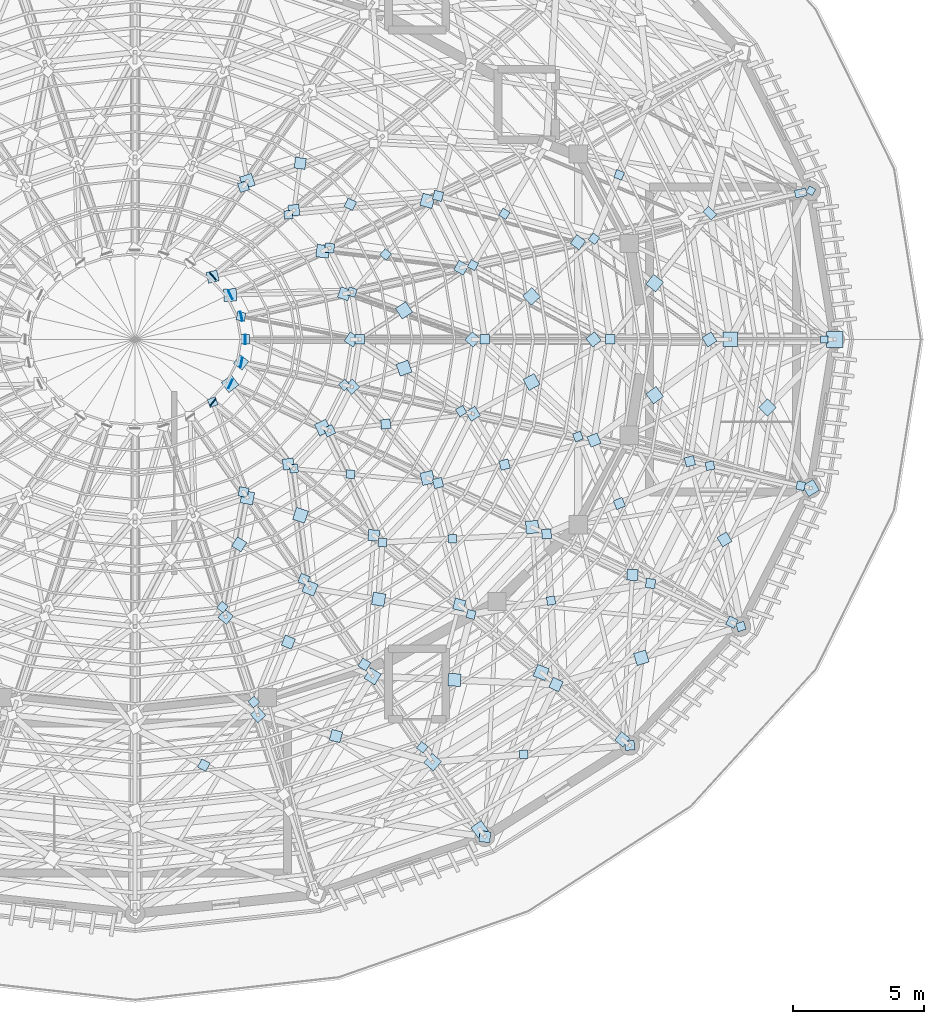
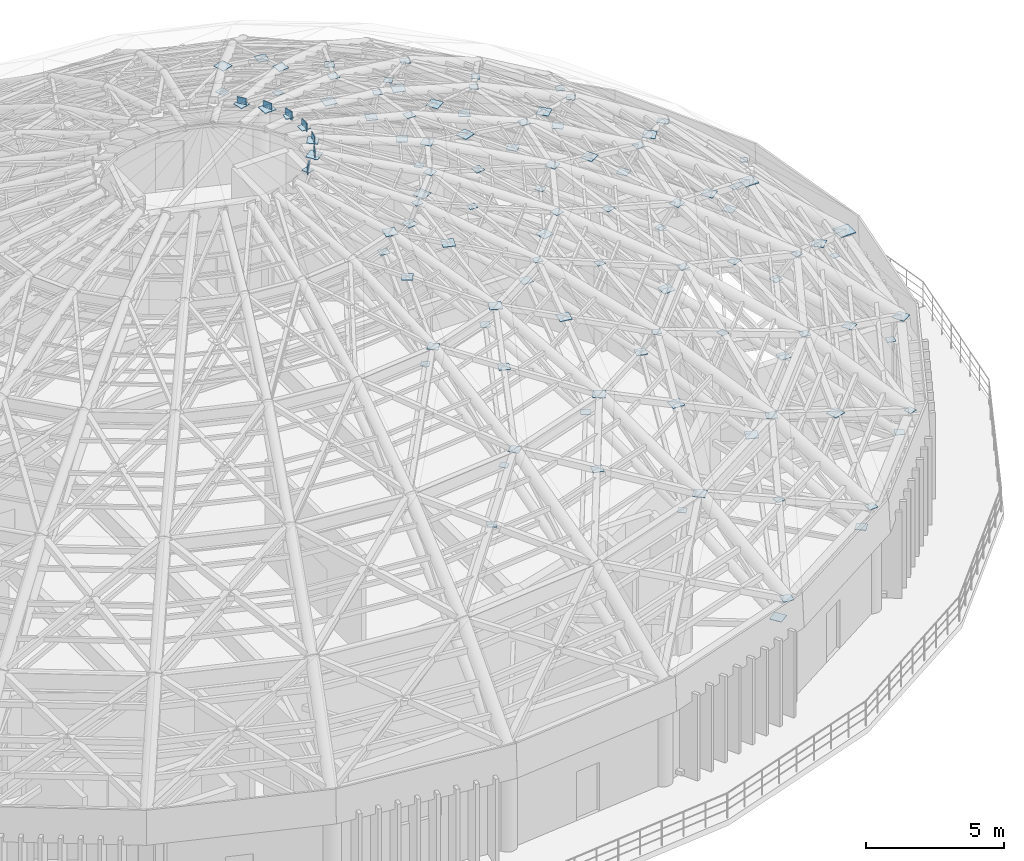
# One storey, part 37 of 50: 113 plates.
"""IFC4 building model written with IfcOpenShell, lengths in metres."""

from ifc_helpers import new_model, si_unit, direction, frame, origin, origin_2d, place, context, subcontext, project, spatial, rectangle, extrude, material, layer, layer_set, type_object, element, save


model = new_model("IFC4")

# Units and contexts
model_context = context("Model", 3, precision=1e-05, world=origin(), true_north=direction((0.0, 1.0)))
body_context = subcontext(model_context, "Body", "Model", "MODEL_VIEW")
ifc_project = project(units=[si_unit("LENGTHUNIT", "METRE"), si_unit("AREAUNIT", "SQUARE_METRE"), si_unit("VOLUMEUNIT", "CUBIC_METRE"), si_unit("PLANEANGLEUNIT", "RADIAN"), si_unit("MASSUNIT", "GRAM", prefix="KILO")], contexts=[model_context])

# Site, building, storey
site_placement = place(None, origin())
site = spatial("IfcSite", under=ifc_project, at=site_placement, CompositionType="ELEMENT")
building_placement = place(site_placement, origin())
building = spatial("IfcBuilding", under=site, at=building_placement, Name="Cinderbank Siding Concert Hall", CompositionType="ELEMENT")
storey_placement = place(building_placement, frame((0.0, 0.0, 23.699951171875)))
storey = spatial("IfcBuildingStorey", under=building, at=storey_placement, Name="L06", CompositionType="ELEMENT", Elevation=23.699951171875)

# Plates
ifc_material = material(Name="Structural steel welded plate section AS/NZS 3679.2 / AS/NZS 3678 Grade 350 (340 MPa)", Category="steel")
ifc_layer_1 = layer(ifc_material, 0.02490234375)
ifc_layer_set_1 = layer_set([ifc_layer_1], Name="Structural steel welded plate section AS/NZS 3679.2 / AS/NZS 3678 Grade 350 (340 MPa)")
plate_type_1 = type_object("IfcPlateType", Name="GP-01 Steel Gusset Cap Plate 480x480x25", PredefinedType="SHEET", material=ifc_layer_set_1)
for number, where, z_axis, x_axis, name in (
    (1, (133.39990234375, 27.805419921875, 8.087646484375), (0.0, 0.0, 1.0), (0.66183538044, 0.749649204093, 0.0), "L06 Steel Node Gusset Plate GP-01 #732"),
    (2, (135.198974609375, 25.233154296875, 3.53759765625), (0.0, 0.0, 1.0), (-0.573147450739, 0.819452255907, 0.0), "L06 Steel Node Gusset Plate GP-01 #736"),
    (3, (137.557861328125, 31.239990234375, 7.1376953125), (0.0, 0.0, 1.0), (0.365526694947, 0.930800856941, 0.0), "L06 Steel Node Gusset Plate GP-01 #740"),
    (4, (141.392578125, 31.802978515625, 6.42626953125), (0.0, 0.0, 1.0), (-0.954188121518, -0.299207334056, 0.0), "L06 Steel Node Gusset Plate GP-01 #744"),
    (5, (147.88671875, 38.305908203125, 4.487548828125), (0.0, 0.0, 1.0), (-0.859227884191, -0.511593044351, 0.0), "L06 Steel Node Gusset Plate GP-01 #748"),
    (6, (146.227294921875, 41.393310546875, 6.426513671875), (0.0, 0.0, 1.0), (-0.70240155419, -0.711780904964, 0.0), "L06 Steel Node Gusset Plate GP-01 #752"),
    (7, (141.903564453125, 46.156494140625, 9.86181640625), (0.0, 0.0, 1.0), (-0.61991599167, -0.784668186733, 0.0), "L06 Steel Node Gusset Plate GP-01 #756"),
    (8, (131.10009765625, 31.09619140625, 11.28759765625), (0.0, 0.0, 1.0), (0.526955795497, 0.849892692987, 0.0), "L06 Steel Node Gusset Plate GP-01 #812"),
    (9, (134.230712890625, 30.953857421875, 9.86083984375), (0.0, 0.0, 1.0), (-0.998970569791, 0.045362988129, 0.0), "L06 Steel Node Gusset Plate GP-01 #816"),
    (10, (137.2099609375, 36.810791015625, 10.337646484375), (0.0, 0.0, 1.0), (-0.062267945373, 0.998059468659, 0.0), "L06 Steel Node Gusset Plate GP-01 #820"),
    (11, (141.906005859375, 41.86181640625, 9.86181640625), (0.0, 0.0, 1.0), (-0.804271929332, -0.594261443885, 0.0), "L06 Steel Node Gusset Plate GP-01 #824"),
    (12, (137.185302734375, 45.647216796875, 12.834228515625), (0.0, 0.0, 1.0), (-0.735032945147, -0.678031392746, 0.0), "L06 Steel Node Gusset Plate GP-01 #828"),
    (13, (133.198486328125, 49.3076171875, 13.03759765625), (0.0, 0.0, 1.0), (-0.964188042068, 0.265219568533, 0.0), "L06 Steel Node Gusset Plate GP-01 #832"),
    (14, (128.699951171875, 34.4736328125, 13.987548828125), (0.0, 0.0, 1.0), (0.378487074295, 0.925606576571, 0.0), "L06 Steel Node Gusset Plate GP-01 #884"),
    (15, (131.329833984375, 34.043212890625, 12.836669921875), (0.0, 0.0, 1.0), (-0.986883906564, 0.161431579828, 0.0), "L06 Steel Node Gusset Plate GP-01 #888"),
    (16, (133.198486328125, 38.6923828125, 13.03759765625), (0.0, 0.0, 1.0), (-0.243615011786, 0.969872015285, 0.0), "L06 Steel Node Gusset Plate GP-01 #892"),
    (17, (137.1875, 42.368408203125, 12.8349609375), (0.0, 0.0, 1.0), (-0.879316310191, -0.476238203668, 0.0), "L06 Steel Node Gusset Plate GP-01 #896"),
    (18, (132.30029296875, 45.114501953125, 15.20458984375), (0.0, 0.0, 1.0), (-0.836381838331, -0.548147261701, 0.0), "L06 Steel Node Gusset Plate GP-01 #900"),
    (19, (129.18701171875, 47.37744140625, 15.03759765625), (0.0, 0.0, 1.0), (-0.993006778393, 0.11805735075, 0.0), "L06 Steel Node Gusset Plate GP-01 #904"),
    (20, (126.300048828125, 50.062255859375, 15.987548828125), (0.0, 0.0, 1.0), (-0.949206038203, -0.314655203419, 0.0), "L06 Steel Node Gusset Plate GP-01 #908"),
    (21, (126.300048828125, 37.937744140625, 15.987548828125), (0.0, 0.0, 1.0), (0.179317351584, 0.983791282448, 0.0), "L06 Steel Node Gusset Plate GP-01 #956"),
    (22, (128.335205078125, 37.262939453125, 15.201171875), (0.0, 0.0, 1.0), (-0.949206038203, 0.314655203419, 0.0), "L06 Steel Node Gusset Plate GP-01 #960"),
    (23, (129.18701171875, 40.62255859375, 15.03759765625), (0.0, 0.0, 1.0), (-0.428304381921, 0.903634525916, 0.0), "L06 Steel Node Gusset Plate GP-01 #964"),
    (24, (132.3017578125, 42.89794921875, 15.204345703125), (0.0, 0.0, 1.0), (-0.942174490079, -0.335122709234, 0.0), "L06 Steel Node Gusset Plate GP-01 #968"),
    (25, (125.63720703125, 45.699951171875, 16.987548828125), (0.0, 0.0, 1.0), (-0.999714145402, -0.023908732351, 0.0), "L06 Steel Node Gusset Plate GP-01 #972"),
    (26, (125.63720703125, 42.300048828125, 16.987548828125), (0.0, 0.0, 1.0), (-0.600978364173, 0.79926529125, 0.0), "L06 Steel Node Gusset Plate GP-01 #992"),
):
    element("IfcPlate", number, at=place(storey_placement, frame(where, z_axis=z_axis, x_axis=x_axis)), inside=storey, type_object=plate_type_1, Name=name, PredefinedType="SHEET", context=body_context, shape_type="SweptSolid", body=[
        extrude(rectangle(XDim=0.47998046875, YDim=0.47998046875, at=origin_2d()), origin(), (0.0, 0.0, 1.0), 0.02490234375),
    ])
ifc_layer_2 = layer(ifc_material, 0.02197265625)
ifc_layer_set_2 = layer_set([ifc_layer_2], Name="Structural steel welded plate section AS/NZS 3679.2 / AS/NZS 3678 Grade 350 (340 MPa)")
plate_type_2 = type_object("IfcPlateType", Name="GP-02 Steel Gusset Cap Plate 420x420x22", PredefinedType="SHEET", material=ifc_layer_set_2)
for number, where, z_axis, x_axis, name in (
    (27, (135.39990234375, 24.947509765625, 4.489013671875), (0.0, 0.0, 1.0), (-0.991399238736, 0.130872263805, 0.0), "L06 Steel Node Gusset Plate GP-02 #733"),
    (28, (138.1220703125, 30.777099609375, 8.089111328125), (0.0, 0.0, 1.0), (0.423092745435, 0.906086380408, 0.0), "L06 Steel Node Gusset Plate GP-02 #737"),
    (29, (140.666259765625, 28.677001953125, 3.5390625), (0.0, 0.0, 1.0), (-0.771180329014, 0.636616760808, 0.0), "L06 Steel Node Gusset Plate GP-02 #741"),
    (30, (141.05419921875, 34.977294921875, 7.13916015625), (0.0, 0.0, 1.0), (0.061571153301, 0.998102696661, 0.0), "L06 Steel Node Gusset Plate GP-02 #745"),
    (31, (144.579345703125, 36.3369140625, 6.427978515625), (0.0, 0.0, 1.0), (-0.859227884191, -0.511593044351, 0.0), "L06 Steel Node Gusset Plate GP-02 #749"),
    (32, (144.001953125, 44.0, 7.13916015625), (0.0, 0.0, 1.0), (-0.529030899945, 0.848602561216, 0.0), "L06 Steel Node Gusset Plate GP-02 #753"),
    (33, (138.964599609375, 47.721435546875, 10.339111328125), (0.0, 0.0, 1.0), (-0.804271929332, 0.594261443885, 0.0), "L06 Steel Node Gusset Plate GP-02 #757"),
    (34, (126.71044921875, 29.607666015625, 11.2890625), (0.0, 0.0, 1.0), (0.737984408834, 0.674817762301, 0.0), "L06 Steel Node Gusset Plate GP-02 #809"),
    (35, (129.693603515625, 28.803955078125, 9.862060546875), (0.0, 0.0, 1.0), (-0.965563505285, 0.260167479254, 0.0), "L06 Steel Node Gusset Plate GP-02 #813"),
    (36, (134.4189453125, 33.8330078125, 10.339111328125), (0.0, 0.0, 1.0), (0.251393708421, 0.967884912253, 0.0), "L06 Steel Node Gusset Plate GP-02 #817"),
    (37, (139.579833984375, 40.1435546875, 11.2890625), (0.0, 0.0, 1.0), (-0.366663609641, 0.93035358728, 0.0), "L06 Steel Node Gusset Plate GP-02 #821"),
    (38, (139.56298828125, 44.0, 10.339111328125), (0.0, 0.0, 1.0), (-0.61991599167, 0.784668186733, 0.0), "L06 Steel Node Gusset Plate GP-02 #825"),
    (39, (134.490478515625, 46.747314453125, 13.0390625), (0.0, 0.0, 1.0), (-0.879316310191, 0.476238203668, 0.0), "L06 Steel Node Gusset Plate GP-02 #829"),
    (40, (125.46826171875, 33.374755859375, 13.989013671875), (0.0, 0.0, 1.0), (0.629998339126, 0.776596479968, 0.0), "L06 Steel Node Gusset Plate GP-02 #881"),
    (41, (127.868896484375, 32.403564453125, 12.838134765625), (0.0, 0.0, 1.0), (-0.926987583926, 0.375092014374, 0.0), "L06 Steel Node Gusset Plate GP-02 #885"),
    (42, (131.1435546875, 36.494140625, 13.0390625), (0.0, 0.0, 1.0), (0.0730641318, 0.997327244511, 0.0), "L06 Steel Node Gusset Plate GP-02 #889"),
    (43, (134.943359375, 41.153076171875, 13.989013671875), (0.0, 0.0, 1.0), (-0.522200905326, 0.85282249881, 0.0), "L06 Steel Node Gusset Plate GP-02 #893"),
    (44, (134.930908203125, 44.0, 13.0390625), (0.0, 0.0, 1.0), (-0.735032945147, 0.678031392746, 0.0), "L06 Steel Node Gusset Plate GP-02 #897"),
    (45, (130.01611328125, 45.748291015625, 15.0390625), (0.0, 0.0, 1.0), (-0.942174490079, 0.335122709234, 0.0), "L06 Steel Node Gusset Plate GP-02 #901"),
    (46, (128.0810546875, 48.94970703125, 15.989013671875), (0.0, 0.0, 1.0), (-0.995072889372, -0.099146078272, 0.0), "L06 Steel Node Gusset Plate GP-02 #905"),
    (47, (128.32421875, 50.7470703125, 15.20361328125), (0.0, 0.0, 1.0), (-0.133986185418, -0.990983199715, 0.0), "L06 Steel Node Gusset Plate GP-02 #909"),
    (48, (125.987060546875, 36.150146484375, 15.20166015625), (0.0, 0.0, 1.0), (-0.850719384362, 0.52562013762, 0.0), "L06 Steel Node Gusset Plate GP-02 #957"),
    (49, (127.868408203125, 39.223388671875, 15.0390625), (0.0, 0.0, 1.0), (-0.133986185418, 0.990983199715, 0.0), "L06 Steel Node Gusset Plate GP-02 #961"),
    (50, (130.306884765625, 42.188232421875, 15.989013671875), (0.0, 0.0, 1.0), (-0.666532470249, 0.745475999683, 0.0), "L06 Steel Node Gusset Plate GP-02 #965"),
    (51, (130.299072265625, 44.0, 15.0390625), (0.0, 0.0, 1.0), (-0.836381838331, 0.548147261701, 0.0), "L06 Steel Node Gusset Plate GP-02 #969"),
    (52, (124.9697265625, 46.404296875, 16.989013671875), (0.0, 0.0, 1.0), (-0.971342069813, -0.237685892326, 0.0), "L06 Steel Node Gusset Plate GP-02 #973"),
    (53, (126.056884765625, 43.1201171875, 16.989013671875), (0.0, 0.0, 1.0), (-0.791330252519, 0.611388936315, 0.0), "L06 Steel Node Gusset Plate GP-02 #993"),
):
    element("IfcPlate", number, at=place(storey_placement, frame(where, z_axis=z_axis, x_axis=x_axis)), inside=storey, type_object=plate_type_2, Name=name, PredefinedType="SHEET", context=body_context, shape_type="SweptSolid", body=[
        extrude(rectangle(XDim=0.419921875, YDim=0.419921875, at=origin_2d()), origin(), (0.0, 0.0, 1.0), 0.02197265625),
    ])
ifc_layer_3 = layer(ifc_material, 0.02001953125)
ifc_layer_set_3 = layer_set([ifc_layer_3], Name="Structural steel welded plate section AS/NZS 3679.2 / AS/NZS 3678 Grade 350 (340 MPa)")
plate_type_3 = type_object("IfcPlateType", Name="GP-03 Steel Gusset Cap Plate 360x360x20", PredefinedType="SHEET", material=ifc_layer_set_3)
for number, where, z_axis, x_axis, name in (
    (54, (140.950439453125, 28.443603515625, 4.489990234375), (0.0, 0.0, 1.0), (-0.996448909038, -0.084199594279, 0.0), "L06 Steel Node Gusset Plate GP-03 #738"),
    (55, (141.745361328125, 34.64990234375, 8.090087890625), (0.0, 0.0, 1.0), (0.127064608601, 0.99189444259, 0.0), "L06 Steel Node Gusset Plate GP-03 #742"),
    (56, (144.861328125, 33.1650390625, 3.5400390625), (0.0, 0.0, 1.0), (-0.90273550608, 0.430196008887, 0.0), "L06 Steel Node Gusset Plate GP-03 #746"),
    (57, (143.252197265625, 39.32958984375, 7.14013671875), (0.0, 0.0, 1.0), (-0.252576015004, 0.967577054629, 0.0), "L06 Steel Node Gusset Plate GP-03 #750"),
    (58, (140.199951171875, 44.0, 11.2900390625), (0.0, 0.0, 1.0), (-1.0, 0.0, 0.0), "L06 Steel Node Gusset Plate GP-03 #754"),
    (59, (124.631591796875, 27.689453125, 9.863037109375), (0.0, 0.0, 1.0), (-0.881385914309, 0.472396941203, 0.0), "L06 Steel Node Gusset Plate GP-03 #810"),
    (60, (130.781494140625, 31.5478515625, 10.340087890625), (0.0, 0.0, 1.0), (0.526955795497, 0.849892692987, 0.0), "L06 Steel Node Gusset Plate GP-03 #814"),
    (61, (137.76171875, 36.550048828125, 11.2900390625), (0.0, 0.0, 1.0), (-0.062267945373, 0.998059468659, 0.0), "L06 Steel Node Gusset Plate GP-03 #818"),
    (62, (140.552001953125, 37.713134765625, 9.864013671875), (0.0, 0.0, 1.0), (-0.92300887401, -0.384778661699, 0.0), "L06 Steel Node Gusset Plate GP-03 #822"),
    (63, (135.39990234375, 44.0, 13.989990234375), (0.0, 0.0, 1.0), (-1.0, 0.0, 0.0), "L06 Steel Node Gusset Plate GP-03 #826"),
    (64, (133.604736328125, 49.5, 13.989990234375), (0.0, 0.0, 1.0), (-0.964188042068, 0.265219568533, 0.0), "L06 Steel Node Gusset Plate GP-03 #830"),
    (65, (128.465576171875, 34.80712890625, 13.0400390625), (0.0, 0.0, 1.0), (0.378487074295, 0.925606576571, 0.0), "L06 Steel Node Gusset Plate GP-03 #886"),
    (66, (133.604736328125, 38.5, 13.989990234375), (0.0, 0.0, 1.0), (-0.243615011786, 0.969872015285, 0.0), "L06 Steel Node Gusset Plate GP-03 #890"),
    (67, (136.154296875, 39.201416015625, 12.838134765625), (0.0, 0.0, 1.0), (-0.964188042068, -0.265219568533, 0.0), "L06 Steel Node Gusset Plate GP-03 #894"),
    (68, (130.60009765625, 44.0, 15.989990234375), (0.0, 0.0, 1.0), (-1.0, 0.0, 0.0), "L06 Steel Node Gusset Plate GP-03 #898"),
    (69, (129.44775390625, 47.5, 15.989990234375), (0.0, 0.0, 1.0), (-0.993006778393, 0.11805735075, 0.0), "L06 Steel Node Gusset Plate GP-03 #902"),
    (70, (130.242919921875, 49.177490234375, 15.205810546875), (0.0, 0.0, 1.0), (-0.428304381921, -0.903634525916, 0.0), "L06 Steel Node Gusset Plate GP-03 #906"),
    (71, (126.1494140625, 49.85009765625, 15.0400390625), (0.0, 0.0, 1.0), (-0.949206038203, -0.314655203419, 0.0), "L06 Steel Node Gusset Plate GP-03 #910"),
    (72, (126.1494140625, 38.14990234375, 15.0400390625), (0.0, 0.0, 1.0), (0.179317351584, 0.983791282448, 0.0), "L06 Steel Node Gusset Plate GP-03 #958"),
    (73, (129.44775390625, 40.5, 15.989990234375), (0.0, 0.0, 1.0), (-0.428304381921, 0.903634525916, 0.0), "L06 Steel Node Gusset Plate GP-03 #962"),
    (74, (131.602783203125, 40.756103515625, 15.205810546875), (0.0, 0.0, 1.0), (-0.993006778393, -0.11805735075, 0.0), "L06 Steel Node Gusset Plate GP-03 #966"),
    (75, (126.199951171875, 44.0, 16.989990234375), (0.0, 0.0, 1.0), (-1.0, 0.0, 0.0), "L06 Steel Node Gusset Plate GP-03 #970"),
):
    element("IfcPlate", number, at=place(storey_placement, frame(where, z_axis=z_axis, x_axis=x_axis)), inside=storey, type_object=plate_type_3, Name=name, PredefinedType="SHEET", context=body_context, shape_type="SweptSolid", body=[
        extrude(rectangle(XDim=0.360107421875, YDim=0.360107421875, at=origin_2d()), origin(), (0.0, 0.0, 1.0), 0.02001953125),
    ])
ifc_layer_4 = layer(ifc_material, 0.02099609375)
ifc_layer_set_4 = layer_set([ifc_layer_4], Name="Structural steel welded plate section AS/NZS 3679.2 / AS/NZS 3678 Grade 350 (340 MPa)")
plate_type_4 = type_object("IfcPlateType", Name="GP-04 Steel Gusset Cap Plate 320x320x21", PredefinedType="SHEET", material=ifc_layer_set_4)
for number, where, z_axis, x_axis, name in (
    (76, (133.0009765625, 28.3720703125, 7.1396484375), (0.0, 0.0, 1.0), (0.617996836899, 0.786180583316, 0.0), "L06 Steel Node Gusset Plate GP-04 #735"),
    (77, (136.884521484375, 28.099853515625, 6.42822265625), (0.0, 0.0, 1.0), (-0.996448909038, -0.084199594279, 0.0), "L06 Steel Node Gusset Plate GP-04 #739"),
    (78, (145.20947265625, 33.0, 4.489501953125), (0.0, 0.0, 1.0), (-0.954188121518, -0.299207334056, 0.0), "L06 Steel Node Gusset Plate GP-04 #743"),
    (79, (144.023193359375, 39.16015625, 8.089599609375), (0.0, 0.0, 1.0), (-0.18909544299, 0.981958712696, 0.0), "L06 Steel Node Gusset Plate GP-04 #747"),
    (80, (147.49853515625, 38.391357421875, 3.53955078125), (0.0, 0.0, 1.0), (-0.976409200803, 0.215928396898, 0.0), "L06 Steel Node Gusset Plate GP-04 #751"),
    (81, (139.579833984375, 47.8564453125, 11.28955078125), (0.0, 0.0, 1.0), (-0.804271929332, 0.594261443885, 0.0), "L06 Steel Node Gusset Plate GP-04 #755"),
    (82, (140.544921875, 50.3046875, 9.863525390625), (0.0, 0.0, 1.0), (-0.366663609641, -0.93035358728, 0.0), "L06 Steel Node Gusset Plate GP-04 #759"),
    (83, (126.545654296875, 30.111328125, 10.339599609375), (0.0, 0.0, 1.0), (0.737984408834, 0.674817762301, 0.0), "L06 Steel Node Gusset Plate GP-04 #811"),
    (84, (134.869384765625, 33.464111328125, 11.28955078125), (0.0, 0.0, 1.0), (0.251393708421, 0.967884912253, 0.0), "L06 Steel Node Gusset Plate GP-04 #815"),
    (85, (137.934326171875, 33.99267578125, 9.863037109375), (0.0, 0.0, 1.0), (-0.985437590637, -0.170037510451, 0.0), "L06 Steel Node Gusset Plate GP-04 #819"),
    (86, (138.964599609375, 40.278564453125, 10.339599609375), (0.0, 0.0, 1.0), (-0.366663609641, 0.93035358728, 0.0), "L06 Steel Node Gusset Plate GP-04 #823"),
    (87, (134.943359375, 46.846923828125, 13.989501953125), (0.0, 0.0, 1.0), (-0.879316310191, 0.476238203668, 0.0), "L06 Steel Node Gusset Plate GP-04 #827"),
    (88, (136.1474609375, 48.813720703125, 12.8359375), (0.0, 0.0, 1.0), (-0.522200905326, -0.85282249881, 0.0), "L06 Steel Node Gusset Plate GP-04 #831"),
    (89, (125.3466796875, 33.74658203125, 13.03955078125), (0.0, 0.0, 1.0), (0.629998339126, 0.776596479968, 0.0), "L06 Steel Node Gusset Plate GP-04 #883"),
    (90, (131.47509765625, 36.2216796875, 13.989501953125), (0.0, 0.0, 1.0), (0.0730641318, 0.997327244511, 0.0), "L06 Steel Node Gusset Plate GP-04 #887"),
    (91, (134.156005859375, 36.36181640625, 12.838134765625), (0.0, 0.0, 1.0), (-0.998638653892, -0.052161661713, 0.0), "L06 Steel Node Gusset Plate GP-04 #891"),
    (92, (134.490478515625, 41.252685546875, 13.03955078125), (0.0, 0.0, 1.0), (-0.522200905326, 0.85282249881, 0.0), "L06 Steel Node Gusset Plate GP-04 #895"),
    (93, (130.306884765625, 45.811767578125, 15.989501953125), (0.0, 0.0, 1.0), (-0.942174490079, 0.335122709234, 0.0), "L06 Steel Node Gusset Plate GP-04 #899"),
    (94, (131.5986328125, 47.25634765625, 15.206298828125), (0.0, 0.0, 1.0), (-0.666532470249, -0.745475999683, 0.0), "L06 Steel Node Gusset Plate GP-04 #903"),
    (95, (127.868408203125, 48.776611328125, 15.03955078125), (0.0, 0.0, 1.0), (-0.995072889372, -0.099146078272, 0.0), "L06 Steel Node Gusset Plate GP-04 #907"),
    (96, (128.0810546875, 39.05029296875, 15.989501953125), (0.0, 0.0, 1.0), (-0.133986185418, 0.990983199715, 0.0), "L06 Steel Node Gusset Plate GP-04 #959"),
    (97, (130.250244140625, 38.834228515625, 15.2041015625), (0.0, 0.0, 1.0), (-0.995072889372, 0.099146078272, 0.0), "L06 Steel Node Gusset Plate GP-04 #963"),
    (98, (130.01611328125, 42.251708984375, 15.03955078125), (0.0, 0.0, 1.0), (-0.666532470249, 0.745475999683, 0.0), "L06 Steel Node Gusset Plate GP-04 #967"),
    (99, (126.056884765625, 44.8798828125, 16.989501953125), (0.0, 0.0, 1.0), (-0.981760154029, 0.190123643878, 0.0), "L06 Steel Node Gusset Plate GP-04 #971"),
    (100, (124.9697265625, 41.595703125, 16.989501953125), (0.0, 0.0, 1.0), (-0.341692107891, 0.939811951086, 0.0), "L06 Steel Node Gusset Plate GP-04 #991"),
):
    element("IfcPlate", number, at=place(storey_placement, frame(where, z_axis=z_axis, x_axis=x_axis)), inside=storey, type_object=plate_type_4, Name=name, PredefinedType="SHEET", context=body_context, shape_type="SweptSolid", body=[
        extrude(rectangle(XDim=0.320068359375, YDim=0.320068359375, at=origin_2d()), origin(), (0.0, 0.0, 1.0), 0.02099609375),
    ])
ifc_layer_5 = layer(ifc_material, 0.02001953125)
ifc_layer_set_5 = layer_set([ifc_layer_5], Name="Structural steel welded plate section AS/NZS 3679.2 / AS/NZS 3678 Grade 350 (340 MPa)")
plate_type_5 = type_object("IfcPlateType", Name="GP-05 Steel Gusset Cap Plate 280x280x20", PredefinedType="SHEET", material=ifc_layer_set_5)
for number, where, z_axis, x_axis, name in (
    (101, (148.39794921875, 44.0, 3.5400390625), (0.0, 0.0, 1.0), (-1.0, 0.0, 0.0), "L06 Steel Node Gusset Plate GP-05 #634"),
    (102, (147.88671875, 49.694091796875, 4.489990234375), (0.0, 0.0, 1.0), (-0.476545113943, -0.879150018129, 0.0), "L06 Steel Node Gusset Plate GP-05 #638"),
):
    element("IfcPlate", number, at=place(storey_placement, frame(where, z_axis=z_axis, x_axis=x_axis)), inside=storey, type_object=plate_type_5, Name=name, PredefinedType="SHEET", context=body_context, shape_type="SweptSolid", body=[
        extrude(rectangle(XDim=0.280029296875, YDim=0.280029296875, at=origin_2d()), origin(), (0.0, 0.0, 1.0), 0.02001953125),
    ])
ifc_layer_6 = layer(ifc_material, 0.031982421875)
ifc_layer_set_6 = layer_set([ifc_layer_6], Name="Structural steel welded plate section AS/NZS 3679.2 / AS/NZS 3678 Grade 350 (340 MPa)")
plate_type_6 = type_object("IfcPlateType", Name="GP-06 Steel Gusset Cap Plate 550x550x32", PredefinedType="SHEET", material=ifc_layer_set_6)
plate_1_placement = place(storey_placement, frame((144.800048828125, 44.0, 8.083984375), z_axis=(0.0, 0.0, 1.0), x_axis=(-1.0, 0.0, 0.0)))
element("IfcPlate", 103, at=plate_1_placement, inside=storey, type_object=plate_type_6, Name="L06 Steel Node Gusset Plate GP-06 #635", PredefinedType="SHEET", context=body_context, shape_type="SweptSolid", body=[
    extrude(rectangle(XDim=0.550048828125, YDim=0.550048828125, at=origin_2d()), origin(), (0.0, 0.0, 1.0), 0.031982421875),
])
ifc_layer_7 = layer(ifc_material, 0.035888671875)
ifc_layer_set_7 = layer_set([ifc_layer_7], Name="Structural steel welded plate section AS/NZS 3679.2 / AS/NZS 3678 Grade 350 (340 MPa)")
plate_type_7 = type_object("IfcPlateType", Name="GP-07 Steel Gusset Cap Plate 620x620x36", PredefinedType="SHEET", material=ifc_layer_set_7)
plate_2_placement = place(storey_placement, frame((148.800048828125, 44.0, 4.48193359375), z_axis=(0.0, 0.0, 1.0), x_axis=(1.0, 0.0, 0.0)))
element("IfcPlate", 104, at=plate_2_placement, inside=storey, type_object=plate_type_7, Name="L06 Steel Node Gusset Plate GP-07 #636", PredefinedType="SHEET", context=body_context, shape_type="SweptSolid", body=[
    extrude(rectangle(XDim=0.6201171875, YDim=0.6201171875, at=origin_2d()), origin(), (0.0, 0.0, 1.0), 0.035888671875),
])
ifc_layer_8 = layer(ifc_material, 0.02001953125)
ifc_layer_set_8 = layer_set([ifc_layer_8], Name="Structural steel welded plate section AS/NZS 3679.2 / AS/NZS 3678 Grade 350 (340 MPa)")
plate_type_8 = type_object("IfcPlateType", Name="GP-08 Steel Gusset Cap Plate 440x300x20", PredefinedType="SHEET", material=ifc_layer_set_8)
for number, where, z_axis, x_axis, name in (
    (105, (144.023193359375, 48.83984375, 8.090087890625), (0.0, 0.0, 1.0), (-0.70240155419, 0.711780904964, 0.0), "L06 Steel Node Gusset Plate GP-08 #637"),
    (106, (147.49853515625, 49.608642578125, 3.5400390625), (0.0, 0.0, 1.0), (-0.976409200803, -0.215928396898, 0.0), "L06 Steel Node Gusset Plate GP-08 #641"),
):
    element("IfcPlate", number, at=place(storey_placement, frame(where, z_axis=z_axis, x_axis=x_axis)), inside=storey, type_object=plate_type_8, Name=name, PredefinedType="SHEET", context=body_context, shape_type="SweptSolid", body=[
        extrude(rectangle(XDim=0.43994140625, YDim=0.300048828125, at=origin_2d()), origin(), (0.0, 0.0, 1.0), 0.02001953125),
    ])
plate_type_9 = type_object("IfcPlateType", Name="GP-10 Steel Gusset Cap Plate 32x360x380", PredefinedType="SHEET", material=ifc_material)
for number, where, z_axis, x_axis, name in (
    (107, (126.213623046875, 44.0, 16.90673828125), (0.0, 0.0, 1.0), (-1.0, 0.0, 0.0), "L06 Dome Apex Rib Cap Plate GP-10 #64"),
    (108, (126.0703125, 44.8828125, 16.90673828125), (0.0, 0.0, 1.0), (-0.976821953852, -0.214053429014, 0.0), "L06 Dome Apex Rib Cap Plate GP-10 #65"),
    (109, (125.6494140625, 45.705810546875, 16.906494140625), (0.0, 0.0, 1.0), (-0.904157123908, -0.427200064707, 0.0), "L06 Dome Apex Rib Cap Plate GP-10 #66"),
    (110, (124.980224609375, 46.412841796875, 16.906494140625), (0.0, 0.0, 1.0), (-0.773950743756, -0.633245802386, 0.0), "L06 Dome Apex Rib Cap Plate GP-10 #67"),
    (111, (124.980224609375, 41.587158203125, 16.906494140625), (0.0, 0.0, 1.0), (-0.773950743756, 0.633245802386, 0.0), "L06 Dome Apex Rib Cap Plate GP-10 #85"),
    (112, (125.6494140625, 42.294189453125, 16.906494140625), (0.0, 0.0, 1.0), (-0.904157123908, 0.427200064707, 0.0), "L06 Dome Apex Rib Cap Plate GP-10 #86"),
    (113, (126.0703125, 43.1171875, 16.90673828125), (0.0, 0.0, 1.0), (-0.976821953852, 0.214053429014, 0.0), "L06 Dome Apex Rib Cap Plate GP-10 #87"),
):
    element("IfcPlate", number, at=place(storey_placement, frame(where, z_axis=z_axis, x_axis=x_axis)), inside=storey, type_object=plate_type_9, Name=name, PredefinedType="SHEET", context=body_context, shape_type="SweptSolid", body=[
        extrude(rectangle(XDim=0.031982421875, YDim=0.360107421875, at=origin_2d()), origin(), (0.0, 0.0, 1.0), 0.3798828125),
    ])

save(model, "model.ifc")
